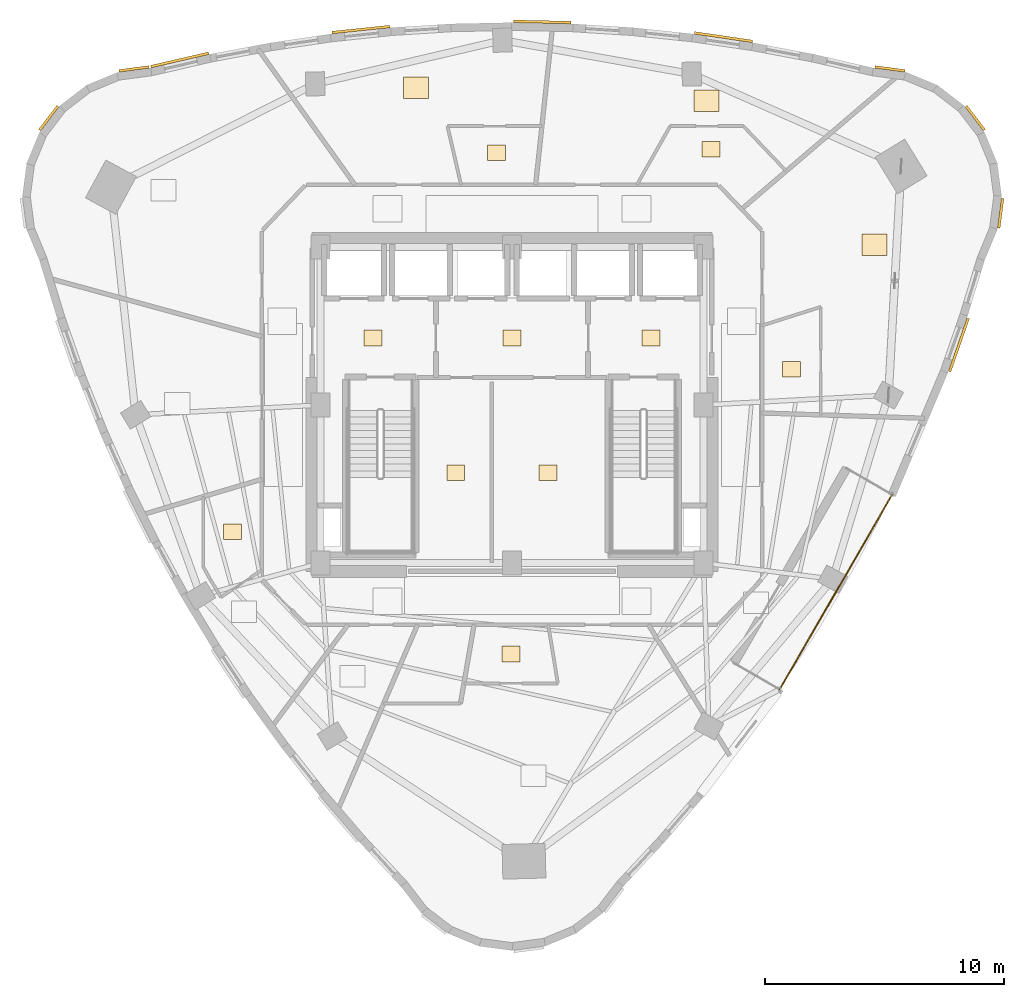
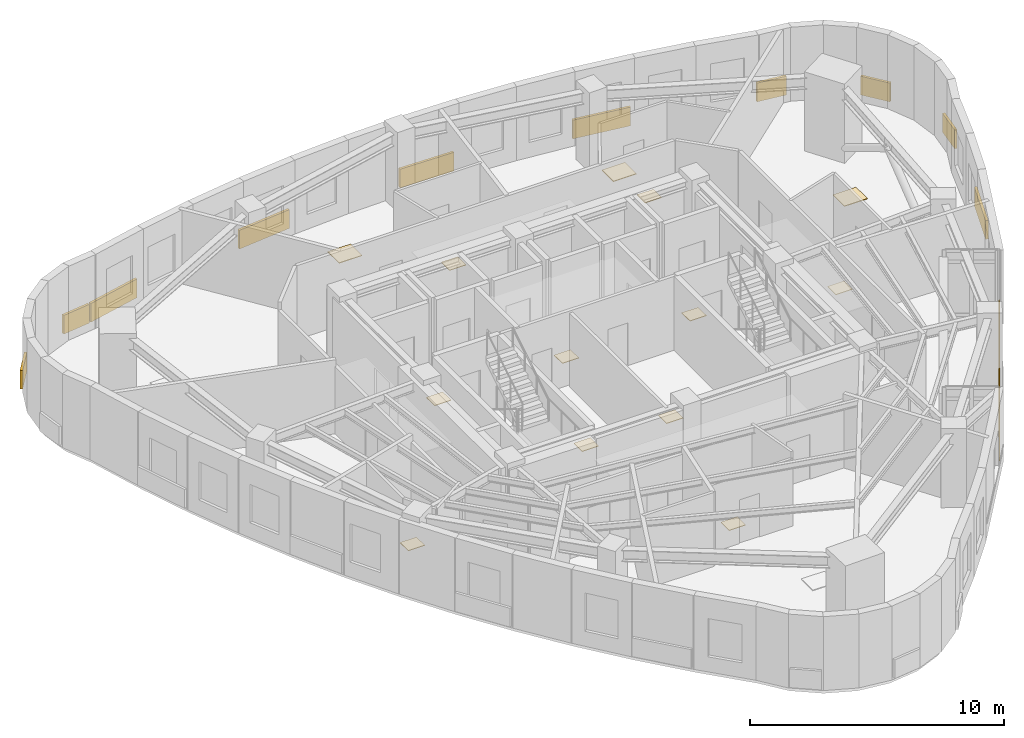
# One storey, part 12 of 12: 23 coverings, 1 railing.
"""IFC4 building model written with IfcOpenShell, lengths in metres."""

import ifcopenshell
import ifcopenshell.guid

model = None  # the IFC model being written
_history = None  # IfcOwnerHistory: only IFC2X3 demands one
_inside = {}  # id of a spatial element -> (the spatial element, [elements in it])
_under = {}  # id of a project, library or spatial element -> (it, [spatial elements below it])
_declared = {}  # id of a project -> (the project, [libraries it declares])
_typed = {}  # id of a type object -> (the type object, [elements of that type])
_made_of = {}  # id of a material, layer set ... -> (it, [elements and type objects made of it])


def new_model(schema):
    """Start an empty IFC model of exactly this schema.

    Asked for "IFC4X3", IfcOpenShell would pick the latest addendum, in which some entities
    have other attributes; the version numbers below select the first issue.
    IFC2X3 requires an IfcOwnerHistory on every rooted entity: one is made here for all.
    """
    global model, _history
    if schema == "IFC4X3":
        model = ifcopenshell.file(schema_version=(4, 3, 0, 0))
    else:
        model = ifcopenshell.file(schema=schema)
    _inside.clear()
    _under.clear()
    _declared.clear()
    _typed.clear()
    _made_of.clear()
    _history = None
    if model.schema == "IFC2X3":
        org = make("IfcOrganization", Name="unknown")
        user = make(
            "IfcPersonAndOrganization",
            ThePerson=make("IfcPerson", FamilyName="unknown"),
            TheOrganization=org,
        )
        app = make(
            "IfcApplication",
            ApplicationDeveloper=org,
            Version="unknown",
            ApplicationFullName="unknown",
            ApplicationIdentifier="unknown",
        )
        _history = make(
            "IfcOwnerHistory",
            OwningUser=user,
            OwningApplication=app,
            ChangeAction="ADDED",
            CreationDate=0,
        )
    return model


def make(cls, **values):
    """One entity of the class cls with the attributes given. An attribute that is None is left unset."""
    return model.create_entity(
        cls, **{name: value for name, value in values.items() if value is not None}
    )


def rooted(cls, **values):
    """An entity with a GlobalId (a new one), such as an element, a storey or a relation."""
    return make(cls, GlobalId=ifcopenshell.guid.new(), OwnerHistory=_history, **values)


def si_unit(unit_type, name, prefix=None):
    """IfcSIUnit, for example si_unit("LENGTHUNIT", "METRE", prefix="MILLI")."""
    return make("IfcSIUnit", UnitType=unit_type, Prefix=prefix, Name=name)


def assignment(units):
    """IfcUnitAssignment: the units of a project."""
    return None if units is None else make("IfcUnitAssignment", Units=units)


def point(xyz):
    """IfcCartesianPoint."""
    return None if xyz is None else make("IfcCartesianPoint", Coordinates=xyz)


def direction(xyz):
    """IfcDirection."""
    return None if xyz is None else make("IfcDirection", DirectionRatios=xyz)


def frame(location, z_axis=None, x_axis=None):
    """IfcAxis2Placement3D, a coordinate frame: its origin and axes. An axis left out is left unset."""
    return make(
        "IfcAxis2Placement3D",
        Location=point(location),
        Axis=direction(z_axis),
        RefDirection=direction(x_axis),
    )


def frame_2d(location, x_axis=None):
    """IfcAxis2Placement2D, a coordinate frame in the plane: its origin and x axis."""
    return make(
        "IfcAxis2Placement2D", Location=point(location), RefDirection=direction(x_axis)
    )


def origin():
    """The frame at (0, 0, 0) with its axes left unset."""
    return frame((0.0, 0.0, 0.0))


def origin_2d():
    """The frame at (0, 0) in the plane with its x axis left unset."""
    return frame_2d((0.0, 0.0))


def place(relative_to, where):
    """IfcLocalPlacement: puts the frame where relative to a parent placement (None: the world)."""
    return make(
        "IfcLocalPlacement", PlacementRelTo=relative_to, RelativePlacement=where
    )


def context(
    kind, dimensions, precision=None, world=None, true_north=None, identifier=None
):
    """IfcGeometricRepresentationContext, for example the 3D "Model" context."""
    return make(
        "IfcGeometricRepresentationContext",
        ContextIdentifier=identifier,
        ContextType=kind,
        CoordinateSpaceDimension=dimensions,
        Precision=precision,
        WorldCoordinateSystem=world,
        TrueNorth=true_north,
    )


def subcontext(parent, identifier, kind, view, scale=None):
    """IfcGeometricRepresentationSubContext, for example "Body" below "Model"."""
    return make(
        "IfcGeometricRepresentationSubContext",
        ContextIdentifier=identifier,
        ContextType=kind,
        ParentContext=parent,
        TargetScale=scale,
        TargetView=view,
    )


def project(units=None, contexts=None):
    """IfcProject with its units and contexts."""
    return rooted(
        "IfcProject",
        Name="project",
        RepresentationContexts=contexts,
        UnitsInContext=assignment(units),
    )


def spatial(cls, under=None, at=None, **own):
    """A site, building, storey or space (cls), placed at a placement, below another one or the project."""
    s = rooted(cls, ObjectPlacement=at, **own)
    if under is not None:
        _under.setdefault(under.id(), (under, []))[1].append(s)
    return s


def profile(cls, at=None, kind="AREA", **sizes):
    """A parametric profile (cls). Its sizes go by their IFC names, for example OverallWidth=200.0."""
    return make(cls, ProfileType=kind, Position=at, **sizes)


def rectangle(**sizes):
    """IfcRectangleProfileDef."""
    return profile("IfcRectangleProfileDef", **sizes)


def circle(**sizes):
    """IfcCircleProfileDef."""
    return profile("IfcCircleProfileDef", **sizes)


def extrude(swept, where, along, depth):
    """IfcExtrudedAreaSolid: the profile swept, set in the frame where, extruded along a direction by depth."""
    return make(
        "IfcExtrudedAreaSolid",
        SweptArea=swept,
        Position=where,
        ExtrudedDirection=direction(along),
        Depth=depth,
    )


def shape(context_of_items, identifier, shape_type, items):
    """IfcShapeRepresentation: the items that make up one representation, for example the "Body"."""
    return make(
        "IfcShapeRepresentation",
        ContextOfItems=context_of_items,
        RepresentationIdentifier=identifier,
        RepresentationType=shape_type,
        Items=items,
    )


def material(Name=None, Category=None):
    """IfcMaterial."""
    return make("IfcMaterial", Name=Name, Category=Category)


def layer(
    of_material, thickness, ventilated=None, Name=None, Category=None, Priority=None
):
    """IfcMaterialLayer: one layer of a wall or slab, of a material (None: an air gap)."""
    return make(
        "IfcMaterialLayer",
        Material=of_material,
        LayerThickness=thickness,
        IsVentilated=ventilated,
        Name=Name,
        Category=Category,
        Priority=Priority,
    )


def layer_set(layers, Name=None):
    """IfcMaterialLayerSet."""
    return make("IfcMaterialLayerSet", MaterialLayers=layers, LayerSetName=Name)


def made_of(thing, what):
    """Note that an element or type object is made of a material, layer set ...; save() writes the relation."""
    if what is not None:
        _made_of.setdefault(what.id(), (what, []))[1].append(thing)
    return thing


def type_object(cls, material=None, **own):
    """A type object (cls), such as IfcWallType, which elements share."""
    return made_of(rooted(cls, **own), material)


def element(
    cls,
    number,
    at=None,
    inside=None,
    cuts=None,
    type_object=None,
    material=None,
    context=None,
    identifier="Body",
    shape_type=None,
    held_by="IfcProductDefinitionShape",
    body=None,
    shapes=None,
    **own,
):
    """One element of the class cls, such as IfcWall. Its Tag is "e" and its number.

    at: its placement. inside: the storey or other place that contains it. cuts: it is an
    opening in that element (IfcRelVoidsElement). A single representation is given by context,
    identifier, shape_type and body (its items); several are given by shapes. held_by: the class
    of the entity that holds the representations. save() writes the other relations.
    """
    e = rooted(cls, Tag="e%d" % number, ObjectPlacement=at, **own)
    if body is not None:
        shapes = [shape(context, identifier, shape_type, body)]
    if shapes is not None:
        e.Representation = make(held_by, Representations=shapes)
    if inside is not None:
        _inside.setdefault(inside.id(), (inside, []))[1].append(e)
    if cuts is not None:
        rooted(
            "IfcRelVoidsElement", RelatingBuildingElement=cuts, RelatedOpeningElement=e
        )
    if type_object is not None:
        _typed.setdefault(type_object.id(), (type_object, []))[1].append(e)
    return made_of(e, material)


def aggregate(whole, parts):
    """IfcRelAggregates: a whole, such as a stair, and the parts it consists of."""
    return rooted("IfcRelAggregates", RelatingObject=whole, RelatedObjects=parts)


def save(model, path):
    """Write the relations noted so far, then the file.

    IfcRelAggregates (storeys below a building ...), IfcRelContainedInSpatialStructure (elements
    in a storey), IfcRelDefinesByType, IfcRelAssociatesMaterial and IfcRelDeclares: one each for
    every whole, place, type object, material and project.
    """
    for whole, parts in _under.values():
        aggregate(whole, parts)
    for where, things in _inside.values():
        rooted(
            "IfcRelContainedInSpatialStructure",
            RelatedElements=things,
            RelatingStructure=where,
        )
    for kind, things in _typed.values():
        rooted("IfcRelDefinesByType", RelatedObjects=things, RelatingType=kind)
    for what, things in _made_of.values():
        rooted("IfcRelAssociatesMaterial", RelatedObjects=things, RelatingMaterial=what)
    for by, libraries in _declared.values():
        rooted("IfcRelDeclares", RelatingContext=by, RelatedDefinitions=libraries)
    model.write(path)


model = new_model("IFC4")

# Units and contexts
model_context = context("Model", 3, precision=1e-05, world=origin(), true_north=direction((0.0, 1.0)))
body_context = subcontext(model_context, "Body", "Model", "MODEL_VIEW")
ifc_project = project(units=[si_unit("LENGTHUNIT", "METRE"), si_unit("AREAUNIT", "SQUARE_METRE"), si_unit("VOLUMEUNIT", "CUBIC_METRE"), si_unit("PLANEANGLEUNIT", "RADIAN"), si_unit("MASSUNIT", "GRAM", prefix="KILO")], contexts=[model_context])

# Site, building, storey
site_placement = place(None, origin())
site = spatial("IfcSite", under=ifc_project, at=site_placement, CompositionType="ELEMENT")
building_placement = place(site_placement, origin())
building = spatial("IfcBuilding", under=site, at=building_placement, Name="Ndelora Gate Hotel", CompositionType="ELEMENT")
storey_placement = place(building_placement, frame((0.0, 0.0, 205.550048828125)))
storey = spatial("IfcBuildingStorey", under=building, at=storey_placement, Name="L51", CompositionType="ELEMENT", Elevation=205.550048828125)

# Coverings
ifc_material_1 = material(Name="Terracotta Fired Clay Brick Slip Cladding", Category="masonry")
ifc_layer_1 = layer(ifc_material_1, 0.110107421875)
ifc_layer_set_1 = layer_set([ifc_layer_1], Name="Terracotta Fired Clay Brick Slip Cladding")
covering_type_1 = type_object("IfcCoveringType", Name="COV-CLAD-BRK", PredefinedType="CLADDING", material=ifc_layer_set_1)
for number, where, z_axis, x_axis, name in (
    (1, (-15.794677734375, 14.0419921875, 0.10009765625), (0.0, 0.0, 1.0), (0.991444861374, 0.13052619222, 0.0), "L51 Rounded-Corner Brick Cladding Band 1"),
    (2, (-19.356689453125, 11.985595703125, 0.10009765625), (0.0, 0.0, 1.0), (0.608761429009, 0.793353340291, 0.0), "L51 Rounded-Corner Brick Cladding Band 4"),
):
    element("IfcCovering", number, at=place(storey_placement, frame(where, z_axis=z_axis, x_axis=x_axis)), inside=storey, type_object=covering_type_1, Name=name, PredefinedType="CLADDING", context=body_context, shape_type="SweptSolid", body=[
        extrude(rectangle(XDim=1.258056640625, YDim=0.110107421875, at=origin_2d()), origin(), (0.0, 0.0, 1.0), 0.89990234375),
    ])
covering_1_placement = place(storey_placement, frame((18.67626953125, 2.51025390625, 0.10009765625), z_axis=(0.0, 0.0, 1.0), x_axis=(0.32837212737, 0.94454843495, 0.0)))
element("IfcCovering", 3, at=covering_1_placement, inside=storey, type_object=covering_type_1, Name="L51 Rounded-Corner Brick Cladding Band 37", PredefinedType="CLADDING", context=body_context, shape_type="SweptSolid", body=[
    extrude(rectangle(XDim=2.35888671875, YDim=0.110107421875, at=origin_2d()), origin(), (0.0, 0.0, 1.0), 0.89990234375),
])
covering_2_placement = place(storey_placement, frame((20.42138671875, 8.0126953125, 0.10009765625), z_axis=(0.0, 0.0, 1.0), x_axis=(0.13052619222, 0.991444861374, 0.0)))
element("IfcCovering", 4, at=covering_2_placement, inside=storey, type_object=covering_type_1, Name="L51 Rounded-Corner Brick Cladding Band 40", PredefinedType="CLADDING", context=body_context, shape_type="SweptSolid", body=[
    extrude(rectangle(XDim=1.257080078125, YDim=0.110107421875, at=origin_2d()), origin(), (0.0, 0.0, 1.0), 0.89990234375),
])
for number, where, z_axis, x_axis, name in (
    (5, (19.356689453125, 11.985595703125, 0.10009765625), (0.0, 0.0, 1.0), (-0.608761429009, 0.793353340291, 0.0), "L51 Rounded-Corner Brick Cladding Band 43"),
    (6, (15.794677734375, 14.0419921875, 0.10009765625), (0.0, 0.0, 1.0), (-0.991444861374, 0.13052619222, 0.0), "L51 Rounded-Corner Brick Cladding Band 46"),
):
    element("IfcCovering", number, at=place(storey_placement, frame(where, z_axis=z_axis, x_axis=x_axis)), inside=storey, type_object=covering_type_1, Name=name, PredefinedType="CLADDING", context=body_context, shape_type="SweptSolid", body=[
        extrude(rectangle(XDim=1.258056640625, YDim=0.110107421875, at=origin_2d()), origin(), (0.0, 0.0, 1.0), 0.89990234375),
    ])
covering_3_placement = place(storey_placement, frame((8.836181640625, 15.37060546875, 0.10009765625), z_axis=(0.0, 0.0, 1.0), x_axis=(-0.989399437751, 0.145219670077, 0.0)))
element("IfcCovering", 7, at=covering_3_placement, inside=storey, type_object=covering_type_1, Name="L51 Rounded-Corner Brick Cladding Band 49", PredefinedType="CLADDING", context=body_context, shape_type="SweptSolid", body=[
    extrude(rectangle(XDim=2.44189453125, YDim=0.110107421875, at=origin_2d()), origin(), (0.0, 0.0, 1.0), 0.89990234375),
])
covering_4_placement = place(storey_placement, frame((1.262451171875, 16.006103515625, 0.10009765625), z_axis=(0.0, 0.0, 1.0), x_axis=(-0.999780683475, 0.020942419883, 0.0)))
element("IfcCovering", 8, at=covering_4_placement, inside=storey, type_object=covering_type_1, Name="L51 Rounded-Corner Brick Cladding Band 52", PredefinedType="CLADDING", context=body_context, shape_type="SweptSolid", body=[
    extrude(rectangle(XDim=2.416015625, YDim=0.110107421875, at=origin_2d()), origin(), (0.0, 0.0, 1.0), 0.89990234375),
])
covering_5_placement = place(storey_placement, frame((-6.311767578125, 15.688232421875, 0.10009765625), z_axis=(0.0, 0.0, 1.0), x_axis=(0.994540123879, 0.104354884861, 0.0)))
element("IfcCovering", 9, at=covering_5_placement, inside=storey, type_object=covering_type_1, Name="L51 Rounded-Corner Brick Cladding Band 55", PredefinedType="CLADDING", context=body_context, shape_type="SweptSolid", body=[
    extrude(rectangle(XDim=2.428955078125, YDim=0.110107421875, at=origin_2d()), origin(), (0.0, 0.0, 1.0), 0.89990234375),
])
covering_6_placement = place(storey_placement, frame((-13.884521484375, 14.417236328125, 0.10009765625), z_axis=(0.0, 0.0, 1.0), x_axis=(0.974370064785, 0.224951054344, 0.0)))
element("IfcCovering", 10, at=covering_6_placement, inside=storey, type_object=covering_type_1, Name="L51 Rounded-Corner Brick Cladding Band 58", PredefinedType="CLADDING", context=body_context, shape_type="SweptSolid", body=[
    extrude(rectangle(XDim=2.48193359375, YDim=0.110107421875, at=origin_2d()), origin(), (0.0, 0.0, 1.0), 0.89990234375),
])
ifc_material_2 = material(Name="Engineered Highland Oak Parquet", Category="wood")
ifc_layer_2 = layer(ifc_material_2, 0.030029296875)
ifc_layer_set_2 = layer_set([ifc_layer_2], Name="Engineered Highland Oak Parquet")
covering_type_2 = type_object("IfcCoveringType", Name="COV-FLR-PARQ", PredefinedType="FLOORING", material=ifc_layer_set_2)
for number, where, z_axis, x_axis, name in (
    (11, (15.14404296875, 6.70458984375, 0.0), (0.0, 0.0, 1.0), (1.0, 0.0, 0.0), "L51 Panoramic King Suite 5402 Oak Parquet Flooring"),
    (12, (8.126953125, 12.718994140625, 0.0), (0.0, 0.0, 1.0), (1.0, 0.0, 0.0), "L51 Royal Ambassador Suite 5403 Oak Parquet Flooring"),
    (13, (-4.016845703125, 13.264892578125, 0.0), (0.0, 0.0, 1.0), (1.0, 0.0, 0.0), "L51 Panoramic Twin Suite 5404 Oak Parquet Flooring"),
):
    element("IfcCovering", number, at=place(storey_placement, frame(where, z_axis=z_axis, x_axis=x_axis)), inside=storey, type_object=covering_type_2, Name=name, PredefinedType="FLOORING", context=body_context, shape_type="SweptSolid", body=[
        extrude(rectangle(XDim=1.050048828125, YDim=0.89990234375, at=origin_2d()), origin(), (0.0, 0.0, 1.0), 0.030029296875),
    ])
ifc_material_3 = material(Name="Non-Slip Porcelain Wet-Room Tile", Category="ceramic")
ifc_layer_3 = layer(ifc_material_3, 0.02490234375)
ifc_layer_set_3 = layer_set([ifc_layer_3], Name="Non-Slip Porcelain Wet-Room Tile")
covering_type_3 = type_object("IfcCoveringType", Name="COV-FLR-TILE", PredefinedType="FLOORING", material=ifc_layer_set_3)
for number, where, z_axis, x_axis, name in (
    (14, (-5.800048828125, 2.800048828125, 0.0), (0.0, 0.0, 1.0), (1.0, 0.0, 0.0), "L51 Firefighting Lift Lobby West Porcelain Tile Flooring"),
    (15, (5.800048828125, 2.800048828125, 0.0), (0.0, 0.0, 1.0), (1.0, 0.0, 0.0), "L51 Firefighting Lift Lobby East Porcelain Tile Flooring"),
    (16, (0.0, 2.800048828125, 0.0), (0.0, 0.0, 1.0), (1.0, 0.0, 0.0), "L51 Central Passenger Lift Lobby Porcelain Tile Flooring"),
    (17, (-2.35009765625, -2.824951171875, 0.0), (0.0, 0.0, 1.0), (1.0, 0.0, 0.0), "L51 Core Electrical Switchroom Porcelain Tile Flooring"),
    (18, (1.5, -2.824951171875, 0.0), (0.0, 0.0, 1.0), (1.0, 0.0, 0.0), "L51 Central Linen Equipment Store Porcelain Tile Flooring"),
    (19, (-0.041015625, -10.405029296875, 0.0), (0.0, 0.0, 1.0), (1.0, 0.0, 0.0), "L51 En-suite Bathroom 5401 Porcelain Tile Flooring"),
    (20, (11.675048828125, 1.496826171875, 0.0), (0.0, 0.0, 1.0), (1.0, 0.0, 0.0), "L51 En-suite Bathroom 5402 Porcelain Tile Flooring"),
    (21, (8.319091796875, 10.693359375, 0.0), (0.0, 0.0, 1.0), (1.0, 0.0, 0.0), "L51 En-suite Bathroom 5403 Porcelain Tile Flooring"),
    (22, (-0.65380859375, 10.538818359375, 0.0), (0.0, 0.0, 1.0), (1.0, 0.0, 0.0), "L51 En-suite Bathroom 5404 Porcelain Tile Flooring"),
    (23, (-11.675048828125, -5.3037109375, 0.0), (0.0, 0.0, 1.0), (1.0, 0.0, 0.0), "L51 En-suite Bathroom 5405 Porcelain Tile Flooring"),
):
    element("IfcCovering", number, at=place(storey_placement, frame(where, z_axis=z_axis, x_axis=x_axis)), inside=storey, type_object=covering_type_3, Name=name, PredefinedType="FLOORING", context=body_context, shape_type="SweptSolid", body=[
        extrude(rectangle(XDim=0.75, YDim=0.64990234375, at=origin_2d()), origin(), (0.0, 0.0, 1.0), 0.02490234375),
    ])

# Railing
ifc_material_4 = material(Name="Laminated Safety Glass and Bronze Top Rail", Category="glass")
ifc_layer_4 = layer(ifc_material_4, 0.070068359375)
ifc_layer_set_4 = layer_set([ifc_layer_4], Name="Laminated Safety Glass and Bronze Top Rail")
railing_type = type_object("IfcRailingType", Name="RL-BAL-1150", PredefinedType="BALUSTRADE", material=ifc_layer_set_4)
railing_placement = place(storey_placement, frame((11.185791015625, -11.88525390625, 0.0)))
element("IfcRailing", 24, at=railing_placement, inside=storey, type_object=railing_type, Name="L51 Sky-Garden Loggia Terrace Balustrade", PredefinedType="BALUSTRADE", context=body_context, shape_type="SweptSolid", body=[
    extrude(circle(Radius=0.02392578125, at=origin_2d()), frame((0.0, 0.0, 1.1357421875), z_axis=(0.500016218704, 0.866016039709, 0.0), x_axis=(-0.866016039709, 0.500016218704, 0.0)), (0.0, 0.0, 1.0), 9.400146484375),
    extrude(circle(Radius=0.02099609375, at=origin_2d()), origin(), (0.0, 0.0, 1.0), 1.11181640625),
    extrude(circle(Radius=0.02099609375, at=origin_2d()), frame((0.58740234375, 1.017578125, 0.0)), (0.0, 0.0, 1.0), 1.11181640625),
    extrude(circle(Radius=0.02099609375, at=origin_2d()), frame((1.175048828125, 2.03515625, 0.0)), (0.0, 0.0, 1.0), 1.11181640625),
    extrude(circle(Radius=0.02099609375, at=origin_2d()), frame((1.7626953125, 3.052734375, 0.0)), (0.0, 0.0, 1.0), 1.11181640625),
    extrude(circle(Radius=0.02099609375, at=origin_2d()), frame((2.35009765625, 4.0703125, 0.0)), (0.0, 0.0, 1.0), 1.11181640625),
    extrude(circle(Radius=0.02099609375, at=origin_2d()), frame((2.9375, 5.087890625, 0.0)), (0.0, 0.0, 1.0), 1.11181640625),
    extrude(circle(Radius=0.02099609375, at=origin_2d()), frame((3.525146484375, 6.10546875, 0.0)), (0.0, 0.0, 1.0), 1.11181640625),
    extrude(circle(Radius=0.02099609375, at=origin_2d()), frame((4.11279296875, 7.123046875, 0.0)), (0.0, 0.0, 1.0), 1.11181640625),
    extrude(circle(Radius=0.02099609375, at=origin_2d()), frame((4.7001953125, 8.140625, 0.0)), (0.0, 0.0, 1.0), 1.11181640625),
])

save(model, "model.ifc")
